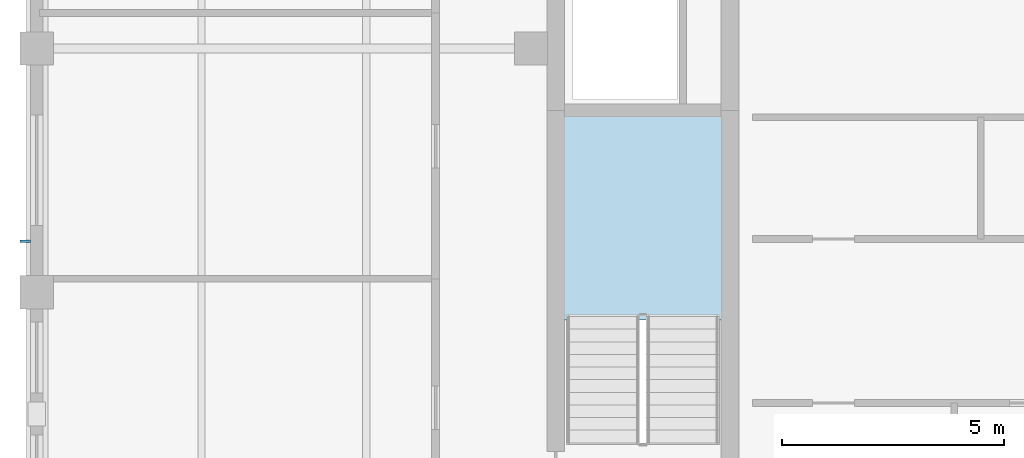
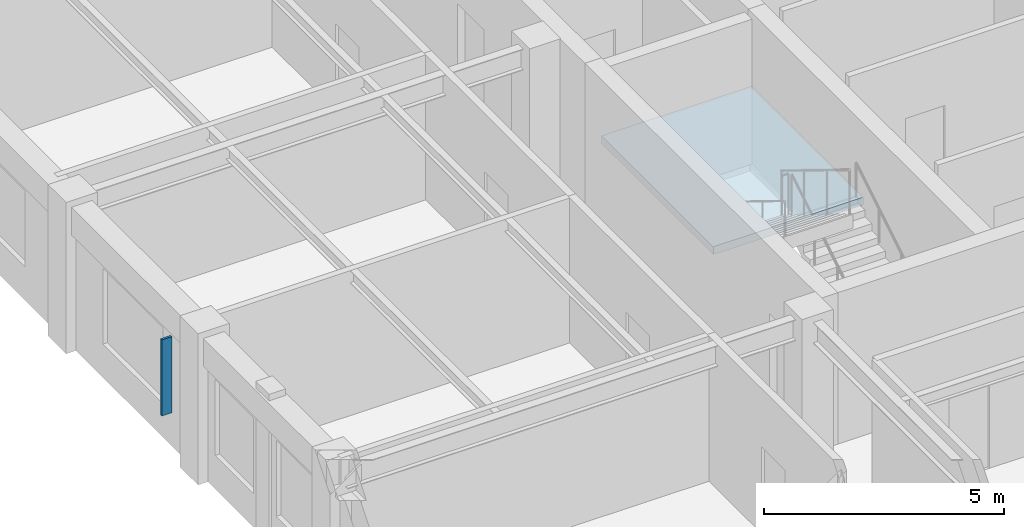
# One storey, part 2 of 7: 1 plate, 1 slab, 1 element without a shape of its own.
"""IFC4 building model written with IfcOpenShell, lengths in metres."""

from ifc_helpers import new_model, si_unit, direction, frame, origin, origin_2d, place, context, subcontext, project, spatial, polyline, rectangle, outline, extrude, material, layer, layer_set, type_object, element, aggregate, save


model = new_model("IFC4")

# Units and contexts
model_context = context("Model", 3, precision=1e-05, world=origin(), true_north=direction((0.0, 1.0)))
body_context = subcontext(model_context, "Body", "Model", "MODEL_VIEW")
ifc_project = project(units=[si_unit("LENGTHUNIT", "METRE"), si_unit("AREAUNIT", "SQUARE_METRE"), si_unit("VOLUMEUNIT", "CUBIC_METRE"), si_unit("PLANEANGLEUNIT", "RADIAN"), si_unit("MASSUNIT", "GRAM", prefix="KILO")], contexts=[model_context])

# Site, building, storey
site_placement = place(None, origin())
site = spatial("IfcSite", under=ifc_project, at=site_placement, CompositionType="ELEMENT")
building_placement = place(site_placement, origin())
building = spatial("IfcBuilding", under=site, at=building_placement, Name="Nhamokura Convention Tower", CompositionType="ELEMENT")
storey_placement = place(building_placement, frame((0.0, 0.0, 285.25)))
storey = spatial("IfcBuildingStorey", under=building, at=storey_placement, Name="L70", CompositionType="ELEMENT", Elevation=285.25)

# Plate
ifc_material_1 = material(Name="Anodised bronze aluminium AA6063-T6", Category="aluminium")
plate_type = type_object("IfcPlateType", Name="BronzeSolarFin_3", PredefinedType="USERDEFINED", material=ifc_material_1)
plate_placement = place(storey_placement, frame((9.239990234375, 27.64990234375, 0.849853515625), z_axis=(0.0, 0.0, 1.0), x_axis=(1.0, 0.0, 0.0)))
element("IfcPlate", 1, at=plate_placement, inside=storey, type_object=plate_type, Name="L70 Bronze Solar Shading Fin WEST 2", ObjectType="SOLAR_FIN", PredefinedType="USERDEFINED", context=body_context, shape_type="SweptSolid", body=[
    extrude(rectangle(XDim=0.239990234375, YDim=0.06005859375, at=origin_2d()), origin(), (0.0, 0.0, 1.0), 1.93505859375),
])

# Stair, slab
ifc_material_2 = material(Name="Concrete C40/50", Category="concrete")
stair_type = type_object("IfcStairType", Name="TowerCoreStair_1650", PredefinedType="HALF_TURN_STAIR", material=ifc_material_2)
stair_placement = place(storey_placement, origin())
stair = element("IfcStair", 2, at=stair_placement, inside=storey, type_object=stair_type, Name="L70 West Core Smokeproof Stair ST-01", PredefinedType="HALF_TURN_STAIR")
ifc_material_3 = material(Name="Concrete C40/50", Category="concrete")
ifc_layer = layer(ifc_material_3, 0.199951171875)
ifc_layer_set = layer_set([ifc_layer], Name="StairLandingSlab_200")
slab_type = type_object("IfcSlabType", Name="StairLandingSlab_200", PredefinedType="LANDING", material=ifc_layer_set)
slab_placement = place(storey_placement, frame((0.0, 0.0, 1.72509765625)))
slab = element("IfcSlab", 3, at=slab_placement, type_object=slab_type, Name="ST-01 landing 1", PredefinedType="LANDING", context=body_context, shape_type="SweptSolid", body=[
    extrude(outline(polyline([(24.97998046875, 25.8701171875), (24.97998046875, 30.530029296875), (21.3701171875, 30.530029296875), (21.3701171875, 25.8701171875), (24.97998046875, 25.8701171875)])), origin(), (0.0, 0.0, 1.0), 0.199951171875),
])
aggregate(stair, [slab])

save(model, "model.ifc")
